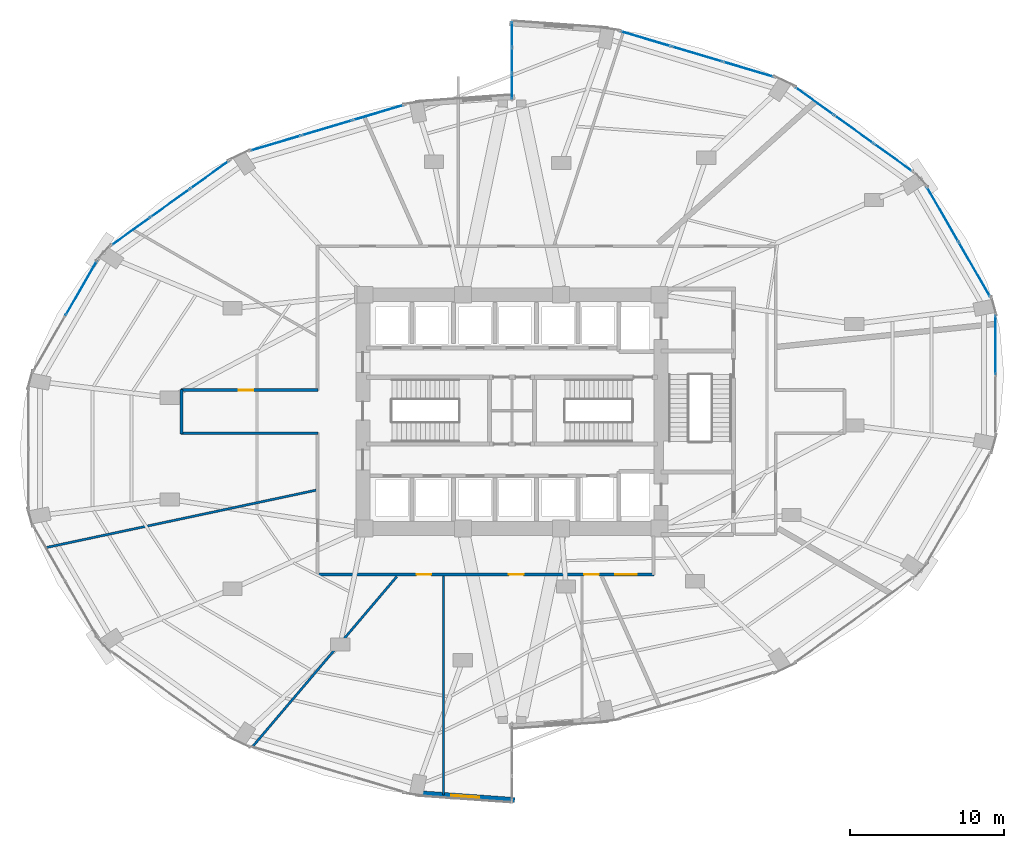
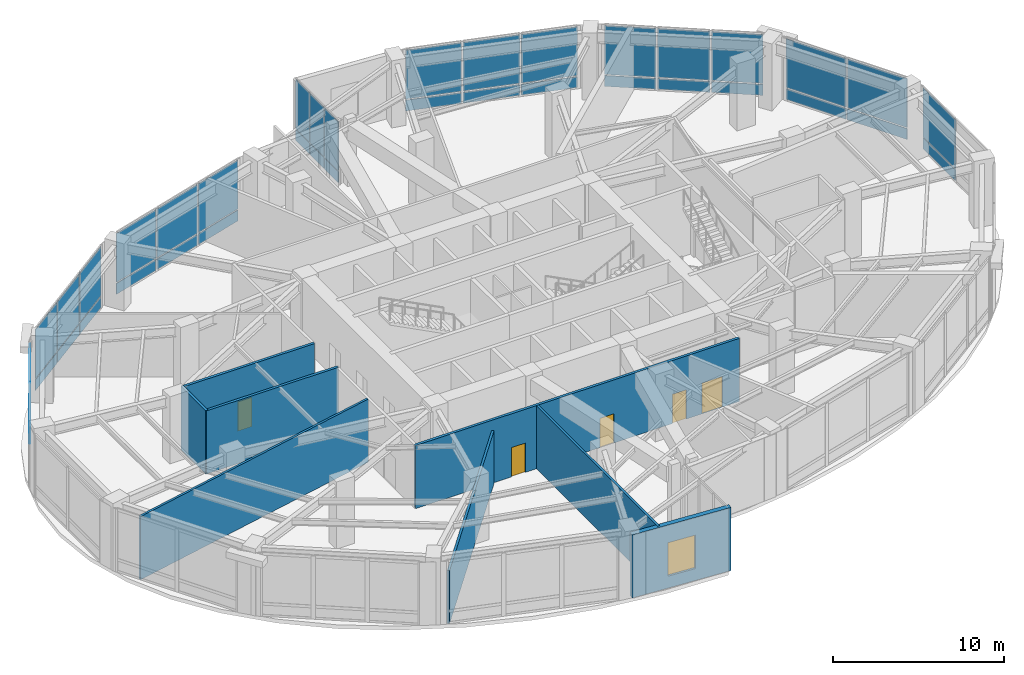
# One storey, part 20 of 24: 38 plates, 8 walls, 5 doors, 1 window, 6 openings, 8 elements without a shape of their own.
"""IFC4 building model written with IfcOpenShell, lengths in metres."""

from ifc_helpers import new_model, si_unit, direction, frame, frame_2d, origin, origin_2d, place, context, subcontext, project, spatial, rectangle, extrude, material, layer, layer_set, type_object, element, fill, aggregate, save


model = new_model("IFC4")

# Units and contexts
model_context = context("Model", 3, precision=1e-05, world=origin(), true_north=direction((0.0, 1.0)))
body_context = subcontext(model_context, "Body", "Model", "MODEL_VIEW")
ifc_project = project(units=[si_unit("LENGTHUNIT", "METRE"), si_unit("AREAUNIT", "SQUARE_METRE"), si_unit("VOLUMEUNIT", "CUBIC_METRE"), si_unit("PLANEANGLEUNIT", "RADIAN"), si_unit("MASSUNIT", "GRAM", prefix="KILO")], contexts=[model_context])

# Site, building, storey
site_placement = place(None, origin())
site = spatial("IfcSite", under=ifc_project, at=site_placement, CompositionType="ELEMENT")
building_placement = place(site_placement, origin())
building = spatial("IfcBuilding", under=site, at=building_placement, Name="Lazwardi Medical Tower", CompositionType="ELEMENT")
storey_placement = place(building_placement, frame((0.0, 0.0, 10.800048828125)))
storey = spatial("IfcBuildingStorey", under=building, at=storey_placement, Name="L02", CompositionType="ELEMENT", Elevation=10.800048828125)

# Curtain wall, plate
ifc_material_1 = material(Name="Anodised bronze aluminium and solar control glazing", Category="aluminium")
ifc_layer_1 = layer(ifc_material_1, 0.219970703125)
ifc_layer_set_1 = layer_set([ifc_layer_1], Name="Anodised bronze aluminium and solar control glazing")
curtain_wall_type_1 = type_object("IfcCurtainWallType", Name="CW-SYS-01", PredefinedType="NOTDEFINED", material=ifc_layer_set_1)
curtain_wall_1_placement = place(storey_placement, origin())
curtain_wall_1 = element("IfcCurtainWall", 1, at=curtain_wall_1_placement, inside=storey, type_object=curtain_wall_type_1, Name="L02 Unitised bronze curtain wall CW-01", PredefinedType="NOTDEFINED")
ifc_material_2 = material(Name="Bronze girih ceramic-frit spandrel glazing", Category="glass")
ifc_layer_2 = layer(ifc_material_2, 0.048095703125)
ifc_layer_set_2 = layer_set([ifc_layer_2], Name="Bronze girih ceramic-frit spandrel glazing")
plate_type_1 = type_object("IfcPlateType", Name="PLT-FRT-01", PredefinedType="CURTAIN_PANEL", material=ifc_layer_set_2)
plate_1_placement = place(storey_placement, frame((67.439697265625, 32.33837890625, 0.0849609375), z_axis=(0.0, 0.0, 1.0), x_axis=(0.0, 1.0, 0.0)))
plate_1 = element("IfcPlate", 2, at=plate_1_placement, type_object=plate_type_1, Name="CW-01 panel 2.1", PredefinedType="CURTAIN_PANEL", context=body_context, shape_type="SweptSolid", body=[
    extrude(rectangle(XDim=3.791748046875, YDim=0.048095703125, at=origin_2d()), origin(), (0.0, 0.0, 1.0), 0.7724609375),
])

# Curtain wall, plates
curtain_wall_2_placement = place(storey_placement, origin())
curtain_wall_2 = element("IfcCurtainWall", 3, at=curtain_wall_2_placement, inside=storey, type_object=curtain_wall_type_1, Name="L02 Unitised bronze curtain wall CW-01", PredefinedType="NOTDEFINED")
plate_2_placement = place(storey_placement, frame((66.080322265625, 37.24609375, 0.0849609375), z_axis=(0.0, 0.0, 1.0), x_axis=(-0.499731082384, 0.866180607783, 0.0)))
plate_2 = element("IfcPlate", 4, at=plate_2_placement, type_object=plate_type_1, Name="CW-01 panel 1.1", PredefinedType="CURTAIN_PANEL", context=body_context, shape_type="SweptSolid", body=[
    extrude(rectangle(XDim=4.052734375, YDim=0.048095703125, at=origin_2d()), origin(), (0.0, 0.0, 1.0), 0.7724609375),
])
plate_3_placement = place(storey_placement, frame((64.012451171875, 40.830078125, 0.0849609375), z_axis=(0.0, 0.0, 1.0), x_axis=(-0.499731082384, 0.866180607783, 0.0)))
plate_3 = element("IfcPlate", 5, at=plate_3_placement, type_object=plate_type_1, Name="CW-01 panel 2.1", PredefinedType="CURTAIN_PANEL", context=body_context, shape_type="SweptSolid", body=[
    extrude(rectangle(XDim=4.052734375, YDim=0.048095703125, at=origin_2d()), origin(), (0.0, 0.0, 1.0), 0.7724609375),
])

curtain_wall_3_placement = place(storey_placement, origin())
curtain_wall_3 = element("IfcCurtainWall", 6, at=curtain_wall_3_placement, inside=storey, type_object=curtain_wall_type_1, Name="L02 Unitised bronze curtain wall CW-01", PredefinedType="NOTDEFINED")
plate_4_placement = place(storey_placement, frame((60.787109375, 44.52587890625, 0.0849609375), z_axis=(0.0, 0.0, 1.0), x_axis=(-0.812318365083, 0.583214260584, 0.0)))
plate_4 = element("IfcPlate", 7, at=plate_4_placement, type_object=plate_type_1, Name="CW-01 panel 1.1", PredefinedType="CURTAIN_PANEL", context=body_context, shape_type="SweptSolid", body=[
    extrude(rectangle(XDim=3.040283203125, YDim=0.048095703125, at=origin_2d()), origin(), (0.0, 0.0, 1.0), 0.7724609375),
])
plate_5_placement = place(storey_placement, frame((58.231201171875, 46.361083984375, 0.0849609375), z_axis=(0.0, 0.0, 1.0), x_axis=(-0.812318365083, 0.583214260584, 0.0)))
plate_5 = element("IfcPlate", 8, at=plate_5_placement, type_object=plate_type_1, Name="CW-01 panel 2.1", PredefinedType="CURTAIN_PANEL", context=body_context, shape_type="SweptSolid", body=[
    extrude(rectangle(XDim=3.082763671875, YDim=0.048095703125, at=origin_2d()), origin(), (0.0, 0.0, 1.0), 0.7724609375),
])
plate_6_placement = place(storey_placement, frame((55.675048828125, 48.196044921875, 0.0849609375), z_axis=(0.0, 0.0, 1.0), x_axis=(-0.812318365083, 0.583214260584, 0.0)))
plate_6 = element("IfcPlate", 9, at=plate_6_placement, type_object=plate_type_1, Name="CW-01 panel 3.1", PredefinedType="CURTAIN_PANEL", context=body_context, shape_type="SweptSolid", body=[
    extrude(rectangle(XDim=3.040283203125, YDim=0.048095703125, at=origin_2d()), origin(), (0.0, 0.0, 1.0), 0.7724609375),
])

curtain_wall_4_placement = place(storey_placement, origin())
curtain_wall_4 = element("IfcCurtainWall", 10, at=curtain_wall_4_placement, inside=storey, type_object=curtain_wall_type_1, Name="L02 Unitised bronze curtain wall CW-01", PredefinedType="NOTDEFINED")
plate_7_placement = place(storey_placement, frame((51.373291015625, 50.26025390625, 0.0849609375), z_axis=(0.0, 0.0, 1.0), x_axis=(-0.958513482597, 0.285047195531, 0.0)))
plate_7 = element("IfcPlate", 11, at=plate_7_placement, type_object=plate_type_1, Name="CW-01 panel 1.1", PredefinedType="CURTAIN_PANEL", context=body_context, shape_type="SweptSolid", body=[
    extrude(rectangle(XDim=3.380126953125, YDim=0.048095703125, at=origin_2d()), origin(), (0.0, 0.0, 1.0), 0.7724609375),
])
plate_8_placement = place(storey_placement, frame((48.031494140625, 51.254150390625, 0.0849609375), z_axis=(0.0, 0.0, 1.0), x_axis=(-0.958513482597, 0.285047195531, 0.0)))
plate_8 = element("IfcPlate", 12, at=plate_8_placement, type_object=plate_type_1, Name="CW-01 panel 2.1", PredefinedType="CURTAIN_PANEL", context=body_context, shape_type="SweptSolid", body=[
    extrude(rectangle(XDim=3.422607421875, YDim=0.048095703125, at=origin_2d()), origin(), (0.0, 0.0, 1.0), 0.7724609375),
])
plate_9_placement = place(storey_placement, frame((44.689453125, 52.247802734375, 0.0849609375), z_axis=(0.0, 0.0, 1.0), x_axis=(-0.958513482597, 0.285047195531, 0.0)))
plate_9 = element("IfcPlate", 13, at=plate_9_placement, type_object=plate_type_1, Name="CW-01 panel 3.1", PredefinedType="CURTAIN_PANEL", context=body_context, shape_type="SweptSolid", body=[
    extrude(rectangle(XDim=3.380126953125, YDim=0.048095703125, at=origin_2d()), origin(), (0.0, 0.0, 1.0), 0.7724609375),
])

curtain_wall_5_placement = place(storey_placement, origin())
curtain_wall_5 = element("IfcCurtainWall", 14, at=curtain_wall_5_placement, inside=storey, type_object=curtain_wall_type_1, Name="L02 Unitised bronze curtain wall CW-01", PredefinedType="NOTDEFINED")
plate_10_placement = place(storey_placement, frame((27.310546875, 47.447998046875, 0.0849609375), z_axis=(0.0, 0.0, 1.0), x_axis=(-0.958513482597, -0.285047195531, 0.0)))
plate_10 = element("IfcPlate", 15, at=plate_10_placement, type_object=plate_type_1, Name="CW-01 panel 1.1", PredefinedType="CURTAIN_PANEL", context=body_context, shape_type="SweptSolid", body=[
    extrude(rectangle(XDim=3.380126953125, YDim=0.048095703125, at=origin_2d()), origin(), (0.0, 0.0, 1.0), 0.7724609375),
])
plate_11_placement = place(storey_placement, frame((23.968505859375, 46.4541015625, 0.0849609375), z_axis=(0.0, 0.0, 1.0), x_axis=(-0.958513482597, -0.285047195531, 0.0)))
plate_11 = element("IfcPlate", 16, at=plate_11_placement, type_object=plate_type_1, Name="CW-01 panel 2.1", PredefinedType="CURTAIN_PANEL", context=body_context, shape_type="SweptSolid", body=[
    extrude(rectangle(XDim=3.422607421875, YDim=0.048095703125, at=origin_2d()), origin(), (0.0, 0.0, 1.0), 0.7724609375),
])
plate_12_placement = place(storey_placement, frame((20.626708984375, 45.460205078125, 0.0849609375), z_axis=(0.0, 0.0, 1.0), x_axis=(-0.958513482597, -0.285047195531, 0.0)))
plate_12 = element("IfcPlate", 17, at=plate_12_placement, type_object=plate_type_1, Name="CW-01 panel 3.1", PredefinedType="CURTAIN_PANEL", context=body_context, shape_type="SweptSolid", body=[
    extrude(rectangle(XDim=3.380126953125, YDim=0.048095703125, at=origin_2d()), origin(), (0.0, 0.0, 1.0), 0.7724609375),
])

curtain_wall_6_placement = place(storey_placement, origin())
curtain_wall_6 = element("IfcCurtainWall", 18, at=curtain_wall_6_placement, inside=storey, type_object=curtain_wall_type_1, Name="L02 Unitised bronze curtain wall CW-01", PredefinedType="NOTDEFINED")
plate_13_placement = place(storey_placement, frame((16.324951171875, 43.396240234375, 0.0849609375), z_axis=(0.0, 0.0, 1.0), x_axis=(-0.812318365083, -0.583214260584, 0.0)))
plate_13 = element("IfcPlate", 19, at=plate_13_placement, type_object=plate_type_1, Name="CW-01 panel 1.1", PredefinedType="CURTAIN_PANEL", context=body_context, shape_type="SweptSolid", body=[
    extrude(rectangle(XDim=3.040283203125, YDim=0.048095703125, at=origin_2d()), origin(), (0.0, 0.0, 1.0), 0.7724609375),
])
plate_14_placement = place(storey_placement, frame((13.768798828125, 41.56103515625, 0.0849609375), z_axis=(0.0, 0.0, 1.0), x_axis=(-0.812318365083, -0.583214260584, 0.0)))
plate_14 = element("IfcPlate", 20, at=plate_14_placement, type_object=plate_type_1, Name="CW-01 panel 2.1", PredefinedType="CURTAIN_PANEL", context=body_context, shape_type="SweptSolid", body=[
    extrude(rectangle(XDim=3.082763671875, YDim=0.048095703125, at=origin_2d()), origin(), (0.0, 0.0, 1.0), 0.7724609375),
])
plate_15_placement = place(storey_placement, frame((11.212890625, 39.725830078125, 0.0849609375), z_axis=(0.0, 0.0, 1.0), x_axis=(-0.812318365083, -0.583214260584, 0.0)))
plate_15 = element("IfcPlate", 21, at=plate_15_placement, type_object=plate_type_1, Name="CW-01 panel 3.1", PredefinedType="CURTAIN_PANEL", context=body_context, shape_type="SweptSolid", body=[
    extrude(rectangle(XDim=3.040283203125, YDim=0.048095703125, at=origin_2d()), origin(), (0.0, 0.0, 1.0), 0.7724609375),
])

# Curtain wall, plate
curtain_wall_7_placement = place(storey_placement, origin())
curtain_wall_7 = element("IfcCurtainWall", 22, at=curtain_wall_7_placement, inside=storey, type_object=curtain_wall_type_1, Name="L02 Unitised bronze curtain wall CW-01", PredefinedType="NOTDEFINED")
plate_16_placement = place(storey_placement, frame((7.987548828125, 36.030029296875, 0.0849609375), z_axis=(0.0, 0.0, 1.0), x_axis=(-0.499731082384, -0.866180607783, 0.0)))
plate_16 = element("IfcPlate", 23, at=plate_16_placement, type_object=plate_type_1, Name="CW-01 panel 1.1", PredefinedType="CURTAIN_PANEL", context=body_context, shape_type="SweptSolid", body=[
    extrude(rectangle(XDim=4.052734375, YDim=0.048095703125, at=origin_2d()), origin(), (0.0, 0.0, 1.0), 0.7724609375),
])

# Plate
ifc_material_3 = material(Name="Laminated acoustic bronze double glazing", Category="glass")
ifc_layer_3 = layer(ifc_material_3, 0.0419921875)
ifc_layer_set_3 = layer_set([ifc_layer_3], Name="Laminated acoustic bronze double glazing")
plate_type_2 = type_object("IfcPlateType", Name="PLT-GLZ-02", PredefinedType="CURTAIN_PANEL", material=ifc_layer_set_3)
plate_17_placement = place(storey_placement, frame((67.439697265625, 32.33837890625, 0.9423828125), z_axis=(0.0, 0.0, 1.0), x_axis=(0.0, 1.0, 0.0)))
plate_17 = element("IfcPlate", 24, at=plate_17_placement, type_object=plate_type_2, Name="CW-01 panel 2.2", PredefinedType="CURTAIN_PANEL", context=body_context, shape_type="SweptSolid", body=[
    extrude(rectangle(XDim=3.791748046875, YDim=0.0419921875, at=origin_2d()), origin(), (0.0, 0.0, 1.0), 3.492431640625),
])

aggregate(curtain_wall_1, [plate_1, plate_17])

plate_18_placement = place(storey_placement, frame((66.080322265625, 37.24609375, 0.9423828125), z_axis=(0.0, 0.0, 1.0), x_axis=(-0.499731082384, 0.866180607783, 0.0)))
plate_18 = element("IfcPlate", 25, at=plate_18_placement, type_object=plate_type_2, Name="CW-01 panel 1.2", PredefinedType="CURTAIN_PANEL", context=body_context, shape_type="SweptSolid", body=[
    extrude(rectangle(XDim=4.052734375, YDim=0.0419921875, at=origin_2d()), origin(), (0.0, 0.0, 1.0), 3.492431640625),
])

plate_19_placement = place(storey_placement, frame((64.012451171875, 40.830078125, 0.9423828125), z_axis=(0.0, 0.0, 1.0), x_axis=(-0.499731082384, 0.866180607783, 0.0)))
plate_19 = element("IfcPlate", 26, at=plate_19_placement, type_object=plate_type_2, Name="CW-01 panel 2.2", PredefinedType="CURTAIN_PANEL", context=body_context, shape_type="SweptSolid", body=[
    extrude(rectangle(XDim=4.052734375, YDim=0.0419921875, at=origin_2d()), origin(), (0.0, 0.0, 1.0), 3.492431640625),
])

aggregate(curtain_wall_2, [plate_2, plate_18, plate_3, plate_19])

plate_20_placement = place(storey_placement, frame((60.787109375, 44.52587890625, 0.9423828125), z_axis=(0.0, 0.0, 1.0), x_axis=(-0.812318365083, 0.583214260584, 0.0)))
plate_20 = element("IfcPlate", 27, at=plate_20_placement, type_object=plate_type_2, Name="CW-01 panel 1.2", PredefinedType="CURTAIN_PANEL", context=body_context, shape_type="SweptSolid", body=[
    extrude(rectangle(XDim=3.040283203125, YDim=0.0419921875, at=origin_2d()), origin(), (0.0, 0.0, 1.0), 3.492431640625),
])

plate_21_placement = place(storey_placement, frame((58.231201171875, 46.361083984375, 0.9423828125), z_axis=(0.0, 0.0, 1.0), x_axis=(-0.812318365083, 0.583214260584, 0.0)))
plate_21 = element("IfcPlate", 28, at=plate_21_placement, type_object=plate_type_2, Name="CW-01 panel 2.2", PredefinedType="CURTAIN_PANEL", context=body_context, shape_type="SweptSolid", body=[
    extrude(rectangle(XDim=3.082763671875, YDim=0.0419921875, at=origin_2d()), origin(), (0.0, 0.0, 1.0), 3.492431640625),
])

plate_22_placement = place(storey_placement, frame((55.675048828125, 48.196044921875, 0.9423828125), z_axis=(0.0, 0.0, 1.0), x_axis=(-0.812318365083, 0.583214260584, 0.0)))
plate_22 = element("IfcPlate", 29, at=plate_22_placement, type_object=plate_type_2, Name="CW-01 panel 3.2", PredefinedType="CURTAIN_PANEL", context=body_context, shape_type="SweptSolid", body=[
    extrude(rectangle(XDim=3.040283203125, YDim=0.0419921875, at=origin_2d()), origin(), (0.0, 0.0, 1.0), 3.492431640625),
])

aggregate(curtain_wall_3, [plate_4, plate_20, plate_5, plate_21, plate_6, plate_22])

plate_23_placement = place(storey_placement, frame((51.373291015625, 50.26025390625, 0.9423828125), z_axis=(0.0, 0.0, 1.0), x_axis=(-0.958513482597, 0.285047195531, 0.0)))
plate_23 = element("IfcPlate", 30, at=plate_23_placement, type_object=plate_type_2, Name="CW-01 panel 1.2", PredefinedType="CURTAIN_PANEL", context=body_context, shape_type="SweptSolid", body=[
    extrude(rectangle(XDim=3.380126953125, YDim=0.0419921875, at=origin_2d()), origin(), (0.0, 0.0, 1.0), 3.492431640625),
])

plate_24_placement = place(storey_placement, frame((48.031494140625, 51.254150390625, 0.9423828125), z_axis=(0.0, 0.0, 1.0), x_axis=(-0.958513482597, 0.285047195531, 0.0)))
plate_24 = element("IfcPlate", 31, at=plate_24_placement, type_object=plate_type_2, Name="CW-01 panel 2.2", PredefinedType="CURTAIN_PANEL", context=body_context, shape_type="SweptSolid", body=[
    extrude(rectangle(XDim=3.422607421875, YDim=0.0419921875, at=origin_2d()), origin(), (0.0, 0.0, 1.0), 3.492431640625),
])

plate_25_placement = place(storey_placement, frame((44.689453125, 52.247802734375, 0.9423828125), z_axis=(0.0, 0.0, 1.0), x_axis=(-0.958513482597, 0.285047195531, 0.0)))
plate_25 = element("IfcPlate", 32, at=plate_25_placement, type_object=plate_type_2, Name="CW-01 panel 3.2", PredefinedType="CURTAIN_PANEL", context=body_context, shape_type="SweptSolid", body=[
    extrude(rectangle(XDim=3.380126953125, YDim=0.0419921875, at=origin_2d()), origin(), (0.0, 0.0, 1.0), 3.492431640625),
])

aggregate(curtain_wall_4, [plate_7, plate_23, plate_8, plate_24, plate_9, plate_25])

plate_26_placement = place(storey_placement, frame((27.310546875, 47.447998046875, 0.9423828125), z_axis=(0.0, 0.0, 1.0), x_axis=(-0.958513482597, -0.285047195531, 0.0)))
plate_26 = element("IfcPlate", 33, at=plate_26_placement, type_object=plate_type_2, Name="CW-01 panel 1.2", PredefinedType="CURTAIN_PANEL", context=body_context, shape_type="SweptSolid", body=[
    extrude(rectangle(XDim=3.380126953125, YDim=0.0419921875, at=origin_2d()), origin(), (0.0, 0.0, 1.0), 3.492431640625),
])

plate_27_placement = place(storey_placement, frame((23.968505859375, 46.4541015625, 0.9423828125), z_axis=(0.0, 0.0, 1.0), x_axis=(-0.958513482597, -0.285047195531, 0.0)))
plate_27 = element("IfcPlate", 34, at=plate_27_placement, type_object=plate_type_2, Name="CW-01 panel 2.2", PredefinedType="CURTAIN_PANEL", context=body_context, shape_type="SweptSolid", body=[
    extrude(rectangle(XDim=3.422607421875, YDim=0.0419921875, at=origin_2d()), origin(), (0.0, 0.0, 1.0), 3.492431640625),
])

plate_28_placement = place(storey_placement, frame((20.626708984375, 45.460205078125, 0.9423828125), z_axis=(0.0, 0.0, 1.0), x_axis=(-0.958513482597, -0.285047195531, 0.0)))
plate_28 = element("IfcPlate", 35, at=plate_28_placement, type_object=plate_type_2, Name="CW-01 panel 3.2", PredefinedType="CURTAIN_PANEL", context=body_context, shape_type="SweptSolid", body=[
    extrude(rectangle(XDim=3.380126953125, YDim=0.0419921875, at=origin_2d()), origin(), (0.0, 0.0, 1.0), 3.492431640625),
])

aggregate(curtain_wall_5, [plate_10, plate_26, plate_11, plate_27, plate_12, plate_28])

plate_29_placement = place(storey_placement, frame((16.324951171875, 43.396240234375, 0.9423828125), z_axis=(0.0, 0.0, 1.0), x_axis=(-0.812318365083, -0.583214260584, 0.0)))
plate_29 = element("IfcPlate", 36, at=plate_29_placement, type_object=plate_type_2, Name="CW-01 panel 1.2", PredefinedType="CURTAIN_PANEL", context=body_context, shape_type="SweptSolid", body=[
    extrude(rectangle(XDim=3.040283203125, YDim=0.0419921875, at=origin_2d()), origin(), (0.0, 0.0, 1.0), 3.492431640625),
])

plate_30_placement = place(storey_placement, frame((13.768798828125, 41.56103515625, 0.9423828125), z_axis=(0.0, 0.0, 1.0), x_axis=(-0.812318365083, -0.583214260584, 0.0)))
plate_30 = element("IfcPlate", 37, at=plate_30_placement, type_object=plate_type_2, Name="CW-01 panel 2.2", PredefinedType="CURTAIN_PANEL", context=body_context, shape_type="SweptSolid", body=[
    extrude(rectangle(XDim=3.082763671875, YDim=0.0419921875, at=origin_2d()), origin(), (0.0, 0.0, 1.0), 3.492431640625),
])

plate_31_placement = place(storey_placement, frame((11.212890625, 39.725830078125, 0.9423828125), z_axis=(0.0, 0.0, 1.0), x_axis=(-0.812318365083, -0.583214260584, 0.0)))
plate_31 = element("IfcPlate", 38, at=plate_31_placement, type_object=plate_type_2, Name="CW-01 panel 3.2", PredefinedType="CURTAIN_PANEL", context=body_context, shape_type="SweptSolid", body=[
    extrude(rectangle(XDim=3.040283203125, YDim=0.0419921875, at=origin_2d()), origin(), (0.0, 0.0, 1.0), 3.492431640625),
])

aggregate(curtain_wall_6, [plate_13, plate_29, plate_14, plate_30, plate_15, plate_31])

plate_32_placement = place(storey_placement, frame((7.987548828125, 36.030029296875, 0.9423828125), z_axis=(0.0, 0.0, 1.0), x_axis=(-0.499731082384, -0.866180607783, 0.0)))
plate_32 = element("IfcPlate", 39, at=plate_32_placement, type_object=plate_type_2, Name="CW-01 panel 1.2", PredefinedType="CURTAIN_PANEL", context=body_context, shape_type="SweptSolid", body=[
    extrude(rectangle(XDim=4.052734375, YDim=0.0419921875, at=origin_2d()), origin(), (0.0, 0.0, 1.0), 3.492431640625),
])

aggregate(curtain_wall_7, [plate_16, plate_32])

# Curtain wall, plates
ifc_layer_4 = layer(ifc_material_1, 0.2099609375)
ifc_layer_set_4 = layer_set([ifc_layer_4], Name="Anodised bronze aluminium and solar control glazing")
curtain_wall_type_2 = type_object("IfcCurtainWallType", Name="CW-SYS-06", PredefinedType="NOTDEFINED", material=ifc_layer_set_4)
curtain_wall_8_placement = place(storey_placement, origin())
curtain_wall_8 = element("IfcCurtainWall", 40, at=curtain_wall_8_placement, inside=storey, type_object=curtain_wall_type_2, Name="L02 Unitised bronze curtain wall CW-06", PredefinedType="NOTDEFINED")
ifc_material_4 = material(Name="Turquoise glazed ceramic insulated panel", Category="glass")
ifc_layer_5 = layer(ifc_material_4, 0.053955078125)
ifc_layer_set_5 = layer_set([ifc_layer_5], Name="Turquoise glazed ceramic insulated panel")
plate_type_3 = type_object("IfcPlateType", Name="PLT-TRQ-01", PredefinedType="CURTAIN_PANEL", material=ifc_layer_set_5)
plate_33_placement = place(storey_placement, frame((36.0, 52.52783203125, 0.074951171875), z_axis=(0.0, 0.0, 1.0), x_axis=(0.0, -1.0, 0.0)))
plate_33 = element("IfcPlate", 41, at=plate_33_placement, type_object=plate_type_3, Name="CW-06 panel 1.1", PredefinedType="CURTAIN_PANEL", context=body_context, shape_type="SweptSolid", body=[
    extrude(rectangle(XDim=1.59423828125, YDim=0.053955078125, at=origin_2d()), origin(), (0.0, 0.0, 1.0), 0.78759765625),
])
plate_34_placement = place(storey_placement, frame((36.0, 52.52783203125, 0.9375), z_axis=(0.0, 0.0, 1.0), x_axis=(0.0, -1.0, 0.0)))
plate_34 = element("IfcPlate", 42, at=plate_34_placement, type_object=plate_type_3, Name="CW-06 panel 1.2", PredefinedType="CURTAIN_PANEL", context=body_context, shape_type="SweptSolid", body=[
    extrude(rectangle(XDim=1.59423828125, YDim=0.053955078125, at=origin_2d()), origin(), (0.0, 0.0, 1.0), 3.507568359375),
])
plate_35_placement = place(storey_placement, frame((36.0, 50.840087890625, 0.074951171875), z_axis=(0.0, 0.0, 1.0), x_axis=(0.0, -1.0, 0.0)))
plate_35 = element("IfcPlate", 43, at=plate_35_placement, type_object=plate_type_3, Name="CW-06 panel 2.1", PredefinedType="CURTAIN_PANEL", context=body_context, shape_type="SweptSolid", body=[
    extrude(rectangle(XDim=1.631591796875, YDim=0.053955078125, at=origin_2d()), origin(), (0.0, 0.0, 1.0), 0.78759765625),
])
plate_36_placement = place(storey_placement, frame((36.0, 50.840087890625, 0.9375), z_axis=(0.0, 0.0, 1.0), x_axis=(0.0, -1.0, 0.0)))
plate_36 = element("IfcPlate", 44, at=plate_36_placement, type_object=plate_type_3, Name="CW-06 panel 2.2", PredefinedType="CURTAIN_PANEL", context=body_context, shape_type="SweptSolid", body=[
    extrude(rectangle(XDim=1.631591796875, YDim=0.053955078125, at=origin_2d()), origin(), (0.0, 0.0, 1.0), 3.507568359375),
])
plate_37_placement = place(storey_placement, frame((36.0, 49.152099609375, 0.074951171875), z_axis=(0.0, 0.0, 1.0), x_axis=(0.0, -1.0, 0.0)))
plate_37 = element("IfcPlate", 45, at=plate_37_placement, type_object=plate_type_3, Name="CW-06 panel 3.1", PredefinedType="CURTAIN_PANEL", context=body_context, shape_type="SweptSolid", body=[
    extrude(rectangle(XDim=1.59423828125, YDim=0.053955078125, at=origin_2d()), origin(), (0.0, 0.0, 1.0), 0.78759765625),
])
plate_38_placement = place(storey_placement, frame((36.0, 49.152099609375, 0.9375), z_axis=(0.0, 0.0, 1.0), x_axis=(0.0, -1.0, 0.0)))
plate_38 = element("IfcPlate", 46, at=plate_38_placement, type_object=plate_type_3, Name="CW-06 panel 3.2", PredefinedType="CURTAIN_PANEL", context=body_context, shape_type="SweptSolid", body=[
    extrude(rectangle(XDim=1.59423828125, YDim=0.053955078125, at=origin_2d()), origin(), (0.0, 0.0, 1.0), 3.507568359375),
])
aggregate(curtain_wall_8, [plate_33, plate_34, plate_35, plate_36, plate_37, plate_38])

# Wall
ifc_material_5 = material(Name="Fire-rated gypsum board on steel stud", Category="steel")
ifc_layer_6 = layer(ifc_material_5, 0.179931640625)
ifc_layer_set_6 = layer_set([ifc_layer_6], Name="Fire-rated gypsum board on steel stud")
wall_type_1 = type_object("IfcWallType", Name="WL-COR-180", PredefinedType="PARTITIONING", material=ifc_layer_set_6)
wall_1_placement = place(storey_placement, frame((14.5, 26.56005859375, 0.0), z_axis=(0.0, 0.0, 1.0), x_axis=(0.0, 1.0, 0.0)))
element("IfcWall", 47, at=wall_1_placement, inside=storey, type_object=wall_type_1, Name="L02 Corridor partition 1", PredefinedType="PARTITIONING", context=body_context, shape_type="SweptSolid", body=[
    extrude(rectangle(XDim=2.8798828125, YDim=0.179931640625, at=frame_2d((1.43994140625, 0.0))), origin(), (0.0, 0.0, 1.0), 4.52001953125),
])

# Wall, opening, door
wall_2_placement = place(storey_placement, frame((14.4599609375, 29.39990234375, 0.0), z_axis=(0.0, 0.0, 1.0), x_axis=(1.0, 0.0, 0.0)))
wall_2 = element("IfcWall", 48, at=wall_2_placement, inside=storey, type_object=wall_type_1, Name="L02 Corridor partition 2", PredefinedType="PARTITIONING", context=body_context, shape_type="SweptSolid", body=[
    extrude(rectangle(XDim=8.929931640625, YDim=0.179931640625, at=frame_2d((4.46484375, 0.0))), origin(), (0.0, 0.0, 1.0), 4.52001953125),
])
opening_1_placement = place(wall_2_placement, frame((3.764892578125, 0.0, 0.0)))
opening_1 = element("IfcOpeningElement", 49, at=opening_1_placement, cuts=wall_2, Name="Opening D-L02-020", PredefinedType="OPENING", context=body_context, shape_type="SweptSolid", body=[
    extrude(rectangle(XDim=0.949951171875, YDim=2.10009765625, at=frame_2d((0.47509765625, 1.050048828125))), frame((0.0, 0.099853515625, 0.0), z_axis=(0.0, -1.0, 0.0), x_axis=(1.0, 0.0, 0.0)), (0.0, 0.0, 1.0), 0.199951171875),
])
ifc_material_6 = material(Name="Moisture-resistant laminate door leaf")
door_type_1 = type_object("IfcDoorType", Name="DR-ENS-950", OperationType="NOTDEFINED", PredefinedType="DOOR", material=ifc_material_6)
door_1_placement = place(opening_1_placement, origin())
door_1 = element("IfcDoor", 50, at=door_1_placement, inside=storey, type_object=door_type_1, Name="L02 Diagnostic Imaging Suite Door 12", OperationType="SINGLE_SWING_RIGHT", OverallHeight=2.10009765625, OverallWidth=0.949951171875, PredefinedType="DOOR", context=body_context, shape_type="SweptSolid", body=[
    extrude(rectangle(XDim=0.949951171875, YDim=2.10009765625, at=frame_2d((0.47509765625, 1.050048828125))), frame((0.0, 0.02490234375, 0.0), z_axis=(0.0, -1.0, 0.0), x_axis=(1.0, 0.0, 0.0)), (0.0, 0.0, 1.0), 0.050048828125),
])
fill(opening_1, door_1)

# Wall, openings, doors
wall_3_placement = place(storey_placement, frame((45.239990234375, 17.39990234375, 0.0), z_axis=(0.0, 0.0, 1.0), x_axis=(-1.0, 0.0, 0.0)))
wall_3 = element("IfcWall", 51, at=wall_3_placement, inside=storey, type_object=wall_type_1, Name="L02 Corridor partition 14", PredefinedType="PARTITIONING", context=body_context, shape_type="SweptSolid", body=[
    extrude(rectangle(XDim=21.929931640625, YDim=0.179931640625, at=frame_2d((10.96484375, 0.0))), origin(), (0.0, 0.0, 1.0), 4.52001953125),
])
opening_2_placement = place(wall_3_placement, frame((14.49609375, 0.0, 0.0)))
opening_2 = element("IfcOpeningElement", 52, at=opening_2_placement, cuts=wall_3, Name="Opening D-L02-010", PredefinedType="OPENING", context=body_context, shape_type="SweptSolid", body=[
    extrude(rectangle(XDim=0.949951171875, YDim=2.10009765625, at=frame_2d((0.47509765625, 1.050048828125))), frame((0.0, 0.099853515625, 0.0), z_axis=(0.0, -1.0, 0.0), x_axis=(1.0, 0.0, 0.0)), (0.0, 0.0, 1.0), 0.199951171875),
])
opening_3_placement = place(wall_3_placement, frame((8.489990234375, 0.0, 0.0)))
opening_3 = element("IfcOpeningElement", 53, at=opening_3_placement, cuts=wall_3, Name="Opening D-L02-011", PredefinedType="OPENING", context=body_context, shape_type="SweptSolid", body=[
    extrude(rectangle(XDim=0.949951171875, YDim=2.10009765625, at=frame_2d((0.47509765625, 1.050048828125))), frame((0.0, 0.099853515625, 0.0), z_axis=(0.0, -1.0, 0.0), x_axis=(1.0, 0.0, 0.0)), (0.0, 0.0, 1.0), 0.199951171875),
])
opening_4_placement = place(wall_3_placement, frame((3.597412109375, 0.0, 0.0)))
opening_4 = element("IfcOpeningElement", 54, at=opening_4_placement, cuts=wall_3, Name="Opening D-L02-012", PredefinedType="OPENING", context=body_context, shape_type="SweptSolid", body=[
    extrude(rectangle(XDim=0.949951171875, YDim=2.10009765625, at=frame_2d((0.47509765625, 1.050048828125))), frame((0.0, 0.099853515625, 0.0), z_axis=(0.0, -1.0, 0.0), x_axis=(1.0, 0.0, 0.0)), (0.0, 0.0, 1.0), 0.199951171875),
])
opening_5_placement = place(wall_3_placement, frame((1.140625, 0.0, 0.0)))
opening_5 = element("IfcOpeningElement", 55, at=opening_5_placement, cuts=wall_3, Name="Opening D-L02-013", PredefinedType="OPENING", context=body_context, shape_type="SweptSolid", body=[
    extrude(rectangle(XDim=1.39990234375, YDim=2.199951171875, at=frame_2d((0.699951171875, 1.10009765625))), frame((0.0, 0.099853515625, 0.0), z_axis=(0.0, -1.0, 0.0), x_axis=(1.0, 0.0, 0.0)), (0.0, 0.0, 1.0), 0.199951171875),
])
ifc_material_7 = material(Name="Anti-microbial laminate hospital leaf")
door_type_2 = type_object("IfcDoorType", Name="DR-BED-1400", OperationType="NOTDEFINED", PredefinedType="DOOR", material=ifc_material_7)
door_2_placement = place(opening_5_placement, origin())
door_2 = element("IfcDoor", 56, at=door_2_placement, inside=storey, type_object=door_type_2, Name="L02 Pharmacy Dispensary Door 05", OperationType="SINGLE_SWING_LEFT", OverallHeight=2.199951171875, OverallWidth=1.39990234375, PredefinedType="DOOR", context=body_context, shape_type="SweptSolid", body=[
    extrude(rectangle(XDim=1.39990234375, YDim=2.199951171875, at=frame_2d((0.699951171875, 1.10009765625))), frame((0.0, 0.02490234375, 0.0), z_axis=(0.0, -1.0, 0.0), x_axis=(1.0, 0.0, 0.0)), (0.0, 0.0, 1.0), 0.050048828125),
])
fill(opening_5, door_2)
door_3_placement = place(opening_2_placement, origin())
door_3 = element("IfcDoor", 57, at=door_3_placement, inside=storey, type_object=door_type_1, Name="L02 Diagnostic Imaging Suite Door 02", OperationType="SINGLE_SWING_RIGHT", OverallHeight=2.10009765625, OverallWidth=0.949951171875, PredefinedType="DOOR", context=body_context, shape_type="SweptSolid", body=[
    extrude(rectangle(XDim=0.949951171875, YDim=2.10009765625, at=frame_2d((0.47509765625, 1.050048828125))), frame((0.0, 0.02490234375, 0.0), z_axis=(0.0, -1.0, 0.0), x_axis=(1.0, 0.0, 0.0)), (0.0, 0.0, 1.0), 0.050048828125),
])
fill(opening_2, door_3)
door_4_placement = place(opening_3_placement, origin())
door_4 = element("IfcDoor", 58, at=door_4_placement, inside=storey, type_object=door_type_1, Name="L02 Diagnostic Imaging Suite Door 03", OperationType="SINGLE_SWING_LEFT", OverallHeight=2.10009765625, OverallWidth=0.949951171875, PredefinedType="DOOR", context=body_context, shape_type="SweptSolid", body=[
    extrude(rectangle(XDim=0.949951171875, YDim=2.10009765625, at=frame_2d((0.47509765625, 1.050048828125))), frame((0.0, 0.02490234375, 0.0), z_axis=(0.0, -1.0, 0.0), x_axis=(1.0, 0.0, 0.0)), (0.0, 0.0, 1.0), 0.050048828125),
])
fill(opening_3, door_4)
door_5_placement = place(opening_4_placement, origin())
door_5 = element("IfcDoor", 59, at=door_5_placement, inside=storey, type_object=door_type_1, Name="L02 Clinical Laboratory Door 04", OperationType="SINGLE_SWING_RIGHT", OverallHeight=2.10009765625, OverallWidth=0.949951171875, PredefinedType="DOOR", context=body_context, shape_type="SweptSolid", body=[
    extrude(rectangle(XDim=0.949951171875, YDim=2.10009765625, at=frame_2d((0.47509765625, 1.050048828125))), frame((0.0, 0.02490234375, 0.0), z_axis=(0.0, -1.0, 0.0), x_axis=(1.0, 0.0, 0.0)), (0.0, 0.0, 1.0), 0.050048828125),
])
fill(opening_4, door_5)

# Wall
wall_4_placement = place(storey_placement, frame((23.389892578125, 26.60009765625, 0.0), z_axis=(0.0, 0.0, 1.0), x_axis=(-1.0, 0.0, 0.0)))
element("IfcWall", 60, at=wall_4_placement, inside=storey, type_object=wall_type_1, Name="L02 Corridor partition 16", PredefinedType="PARTITIONING", context=body_context, shape_type="SweptSolid", body=[
    extrude(rectangle(XDim=8.929931640625, YDim=0.179931640625, at=frame_2d((4.46484375, 0.0))), origin(), (0.0, 0.0, 1.0), 4.52001953125),
])

# Wall, opening, window
ifc_material_8 = material(Name="Precast concrete C45/55", Category="concrete")
ifc_layer_7 = layer(ifc_material_8, 0.320068359375)
ifc_layer_set_7 = layer_set([ifc_layer_7], Name="Precast concrete C45/55")
wall_type_2 = type_object("IfcWallType", Name="WL-IWAN-320", PredefinedType="SOLIDWALL", material=ifc_layer_set_7)
wall_5_placement = place(storey_placement, frame((29.73828125, 3.202392578125, 0.0), z_axis=(0.0, 0.0, 1.0), x_axis=(0.997513108184, -0.070481196075, 0.0)))
wall_5 = element("IfcWall", 61, at=wall_5_placement, inside=storey, type_object=wall_type_2, Name="L02 Iwan Portal Return Wall SW_ret", PredefinedType="SOLIDWALL", context=body_context, shape_type="SweptSolid", body=[
    extrude(rectangle(XDim=6.456787109375, YDim=0.320068359375, at=frame_2d((3.228515625, 0.0))), origin(), (0.0, 0.0, 1.0), 4.52001953125),
])
opening_6_placement = place(wall_5_placement, frame((2.328369140625, 0.0, 0.85009765625)))
opening_6 = element("IfcOpeningElement", 62, at=opening_6_placement, cuts=wall_5, Name="Opening WN-03", PredefinedType="OPENING", context=body_context, shape_type="SweptSolid", body=[
    extrude(rectangle(XDim=1.800048828125, YDim=2.39990234375, at=frame_2d((0.89990234375, 1.199951171875))), frame((0.0, 0.169921875, 0.0), z_axis=(0.0, -1.0, 0.0), x_axis=(1.0, 0.0, 0.0)), (0.0, 0.0, 1.0), 0.340087890625),
])
window_type = type_object("IfcWindowType", Name="WIN-POD-1800", PartitioningType="SINGLE_PANEL", PredefinedType="WINDOW", material=ifc_material_3)
window_placement = place(opening_6_placement, origin())
window = element("IfcWindow", 63, at=window_placement, inside=storey, type_object=window_type, Name="L02 Iwan Slot Window SW_ret", OverallHeight=2.39990234375, OverallWidth=1.800048828125, PartitioningType="SINGLE_PANEL", PredefinedType="WINDOW", context=body_context, shape_type="SweptSolid", body=[
    extrude(rectangle(XDim=1.800048828125, YDim=2.39990234375, at=frame_2d((0.89990234375, 1.199951171875))), frame((0.0, 0.030029296875, 0.0), z_axis=(0.0, -1.0, 0.0), x_axis=(1.0, 0.0, 0.0)), (0.0, 0.0, 1.0), 0.06005859375),
])
fill(opening_6, window)

# Walls
ifc_material_9 = material(Name="Acoustic gypsum board partition")
ifc_layer_8 = layer(ifc_material_9, 0.14990234375)
ifc_layer_set_8 = layer_set([ifc_layer_8], Name="Acoustic gypsum board partition")
wall_type_3 = type_object("IfcWallType", Name="WL-WRD-150", PredefinedType="PARTITIONING", material=ifc_layer_set_8)
wall_6_placement = place(storey_placement, frame((23.2607421875, 22.89208984375, 0.0), z_axis=(0.0, 0.0, 1.0), x_axis=(-0.978149523722, -0.207902643662, 0.0)))
element("IfcWall", 64, at=wall_6_placement, inside=storey, type_object=wall_type_3, Name="L02 Room partition 8", PredefinedType="PARTITIONING", context=body_context, shape_type="SweptSolid", body=[
    extrude(rectangle(XDim=17.96337890625, YDim=0.14990234375, at=frame_2d((8.981689453125, 0.0))), origin(), (0.0, 0.0, 1.0), 4.52001953125),
])
wall_7_placement = place(storey_placement, frame((28.51318359375, 17.279296875, 0.0), z_axis=(0.0, 0.0, 1.0), x_axis=(-0.646855904645, -0.762612246575, 0.0)))
element("IfcWall", 65, at=wall_7_placement, inside=storey, type_object=wall_type_3, Name="L02 Room partition 9", PredefinedType="PARTITIONING", context=body_context, shape_type="SweptSolid", body=[
    extrude(rectangle(XDim=14.54638671875, YDim=0.14990234375, at=frame_2d((7.273193359375, 0.0))), origin(), (0.0, 0.0, 1.0), 3.804931640625),
])
wall_8_placement = place(storey_placement, frame((31.550048828125, 3.060302734375, 0.0), z_axis=(0.0, 0.0, 1.0), x_axis=(0.0, 1.0, 0.0)))
element("IfcWall", 66, at=wall_8_placement, inside=storey, type_object=wall_type_3, Name="L02 Room partition 10", PredefinedType="PARTITIONING", context=body_context, shape_type="SweptSolid", body=[
    extrude(rectangle(XDim=14.249755859375, YDim=0.14990234375, at=frame_2d((7.125, 0.0))), origin(), (0.0, 0.0, 1.0), 4.52001953125),
])

save(model, "model.ifc")
